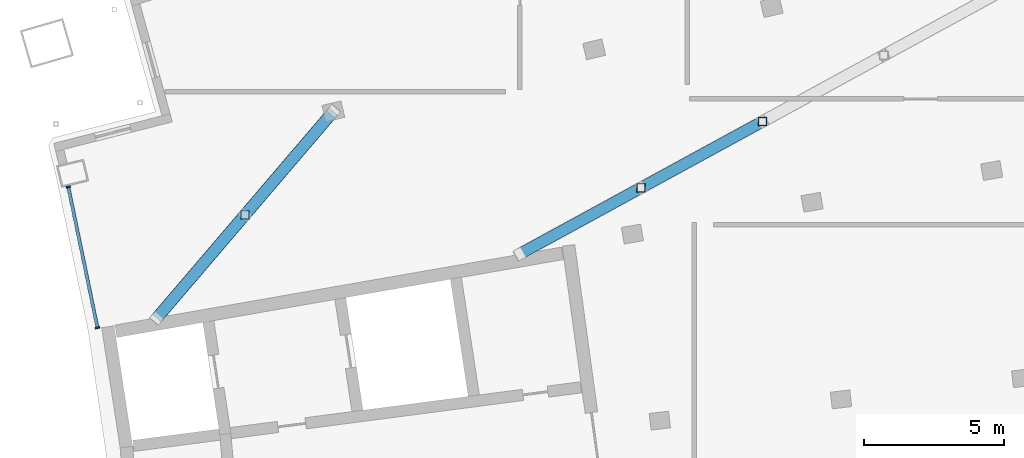
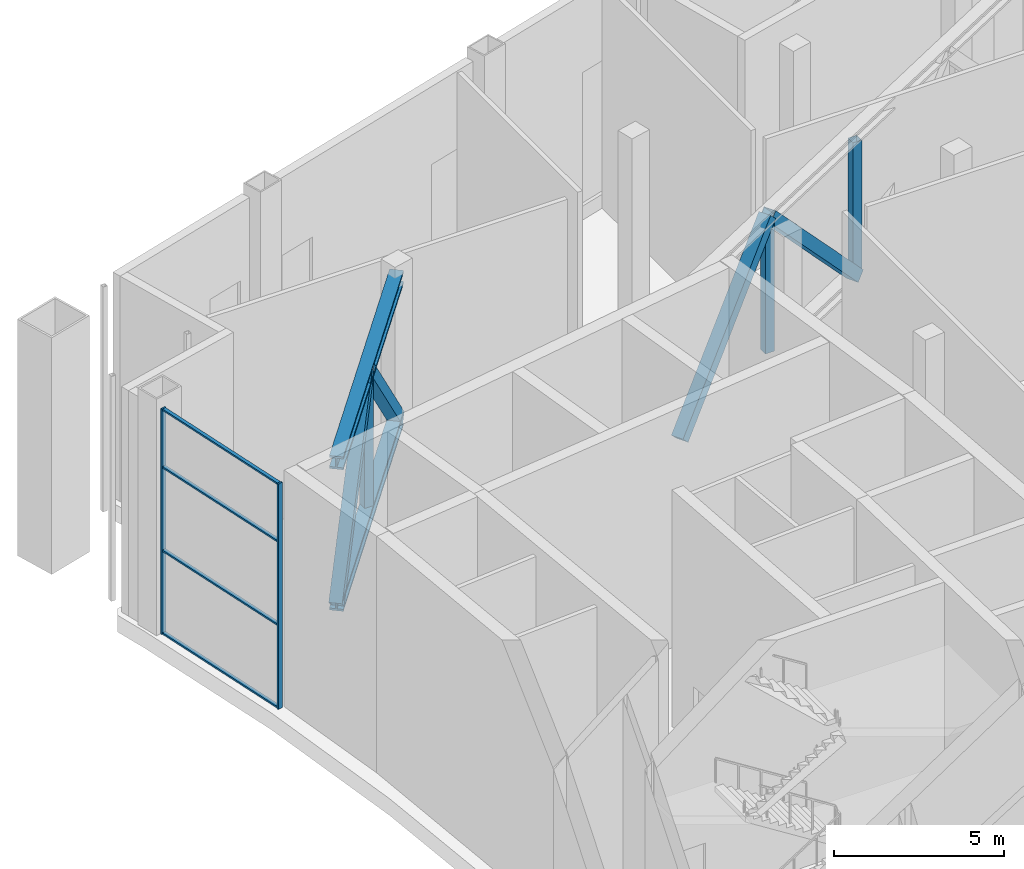
# One storey, part 11 of 25: 15 members, 1 element without a shape of its own.
"""IFC4 building model written with IfcOpenShell, lengths in metres."""

from ifc_helpers import new_model, si_unit, direction, frame, origin, origin_2d, place, context, subcontext, project, spatial, rectangle, hollow_rectangle, i_section, extrude, material, layer, layer_set, material_profile, profile_set, type_object, element, aggregate, save


model = new_model("IFC4")

# Units and contexts
model_context = context("Model", 3, precision=1e-05, world=origin(), true_north=direction((0.0, 1.0)))
body_context = subcontext(model_context, "Body", "Model", "MODEL_VIEW")
ifc_project = project(units=[si_unit("LENGTHUNIT", "METRE"), si_unit("AREAUNIT", "SQUARE_METRE"), si_unit("VOLUMEUNIT", "CUBIC_METRE"), si_unit("PLANEANGLEUNIT", "RADIAN"), si_unit("MASSUNIT", "GRAM", prefix="KILO")], contexts=[model_context])

# Site, building, storey
site_placement = place(None, origin())
site = spatial("IfcSite", under=ifc_project, at=site_placement, CompositionType="ELEMENT")
building_placement = place(site_placement, origin())
building = spatial("IfcBuilding", under=site, at=building_placement, Name="Alderwake Tower", CompositionType="ELEMENT")
storey_placement = place(building_placement, frame((0.0, 0.0, 296.0)))
storey = spatial("IfcBuildingStorey", under=building, at=storey_placement, Name="L73", CompositionType="ELEMENT", Elevation=296.0)

# Curtain wall, members
ifc_material_1 = material(Name="Bronze tinted glass in aluminium frame", Category="aluminium")
ifc_layer = layer(ifc_material_1, 0.199951171875)
ifc_layer_set = layer_set([ifc_layer], Name="Curtain wall CW4 damper floor viewing glazing")
curtain_wall_type = type_object("IfcCurtainWallType", Name="Curtain wall CW4 damper floor viewing glazing", PredefinedType="NOTDEFINED", material=ifc_layer_set)
curtain_wall_placement = place(storey_placement, origin())
curtain_wall = element("IfcCurtainWall", 1, at=curtain_wall_placement, inside=storey, type_object=curtain_wall_type, Name="Curtain wall 9", PredefinedType="NOTDEFINED")
ifc_material_2 = material(Name="Aluminium bronze anodised", Category="aluminium")
ifc_material_profile_1 = material_profile(ifc_material_2, rectangle(XDim=0.159912109375, YDim=0.06005859375, at=origin_2d()), Name="Mullion MUD 60x160")
ifc_profile_set_1 = profile_set([ifc_material_profile_1], Name="Aluminium bronze anodised")
member_type_1 = type_object("IfcMemberType", Name="Mullion MUD 60x160", PredefinedType="MULLION", material=ifc_profile_set_1)
member_1_placement = place(storey_placement, frame((13.82763671875, 82.850341796875, 0.0), z_axis=(0.0, 0.0, 1.0), x_axis=(0.979228898997, 0.202757893481, 0.0)))
member_1 = element("IfcMember", 2, at=member_1_placement, type_object=member_type_1, Name="CW.09 mullion 1", PredefinedType="MULLION", context=body_context, shape_type="SweptSolid", body=[
    extrude(rectangle(XDim=0.159912109375, YDim=0.06005859375, at=origin_2d()), origin(), (0.0, 0.0, 1.0), 8.10009765625),
])
member_2_placement = place(storey_placement, frame((14.8720703125, 77.80615234375, 0.0), z_axis=(0.0, 0.0, 1.0), x_axis=(0.979228898997, 0.202757893481, 0.0)))
member_2 = element("IfcMember", 3, at=member_2_placement, type_object=member_type_1, Name="CW.09 mullion 2", PredefinedType="MULLION", context=body_context, shape_type="SweptSolid", body=[
    extrude(rectangle(XDim=0.159912109375, YDim=0.06005859375, at=origin_2d()), origin(), (0.0, 0.0, 1.0), 8.10009765625),
])

# Members
ifc_material_3 = material(Name="Steel ASTM A992 Grade 50", Category="steel")
ifc_material_profile_2 = material_profile(ifc_material_3, i_section(OverallWidth=0.42138671875, OverallDepth=0.464599609375, WebThickness=0.044921875, FlangeThickness=0.072265625, at=origin_2d()), Name="W14X398")
ifc_profile_set_2 = profile_set([ifc_material_profile_2], Name="Steel ASTM A992 Grade 50")
member_type_2 = type_object("IfcMemberType", Name="Outrigger truss chord W14X398", PredefinedType="CHORD", material=ifc_profile_set_2)
for number, where, z_axis, x_axis, name in (
    (4, (16.99560546875, 78.149658203125, 7.86767578125), (0.649500341589, 0.760361299828, 0.0), (-0.760361299828, 0.649500341589, 0.0), "Outrigger truss chord DT73NR.T"),
    (5, (16.99560546875, 78.149658203125, 2.7822265625), (0.649500341589, 0.760361299828, 0.0), (-0.760361299828, 0.649500341589, 0.0), "Outrigger truss chord DT73NR.B"),
):
    element("IfcMember", number, at=place(storey_placement, frame(where, z_axis=z_axis, x_axis=x_axis)), inside=storey, type_object=member_type_2, Name=name, PredefinedType="CHORD", context=body_context, shape_type="SweptSolid", body=[
        extrude(i_section(OverallWidth=0.42138671875, OverallDepth=0.464599609375, WebThickness=0.044921875, FlangeThickness=0.072265625, at=origin_2d()), origin(), (0.0, 0.0, 1.0), 9.740478515625),
    ])
ifc_material_4 = material(Name="Steel ASTM A500 Grade C", Category="steel")
ifc_material_profile_3 = material_profile(ifc_material_4, hollow_rectangle(XDim=0.406494140625, YDim=0.406494140625, WallThickness=0.014892578125, at=origin_2d()), Name="HSS16X16X5/8")
ifc_profile_set_3 = profile_set([ifc_material_profile_3], Name="Steel ASTM A500 Grade C")
member_type_3 = type_object("IfcMemberType", Name="Outrigger truss diagonal HSS16X16X5/8", PredefinedType="BRACE", material=ifc_profile_set_3)
member_3_placement = place(storey_placement, frame((16.99560546875, 78.149658203125, 2.7822265625), z_axis=(0.449218413623, 0.52591424034, 0.722230592449), x_axis=(-0.760373678193, 0.649485850124, 0.0)))
element("IfcMember", 6, at=member_3_placement, inside=storey, type_object=member_type_3, Name="Outrigger truss diagonal DT73NR.D1", PredefinedType="BRACE", context=body_context, shape_type="SweptSolid", body=[
    extrude(hollow_rectangle(XDim=0.406494140625, YDim=0.406494140625, WallThickness=0.014892578125, at=origin_2d()), origin(), (0.0, 0.0, 1.0), 7.041259765625),
])
member_4_placement = place(storey_placement, frame((23.322021484375, 85.555908203125, 2.7822265625), z_axis=(-0.449246088757, -0.525906048797, 0.722219343119), x_axis=(0.760348921589, -0.649514832346, 0.0)))
element("IfcMember", 7, at=member_4_placement, inside=storey, type_object=member_type_3, Name="Outrigger truss diagonal DT73NR.D2", PredefinedType="BRACE", context=body_context, shape_type="SweptSolid", body=[
    extrude(hollow_rectangle(XDim=0.406494140625, YDim=0.406494140625, WallThickness=0.014892578125, at=origin_2d()), origin(), (0.0, 0.0, 1.0), 7.04150390625),
])
for number, where, z_axis, x_axis, name in (
    (8, (29.993896484375, 80.447998046875, 2.7822265625), (0.61244920085, 0.334135114632, 0.716421455254), (-0.478931570969, 0.877852237184, 0.0), "Outrigger truss diagonal DT73NF.D1"),
    (9, (38.688720703125, 85.191650390625, 2.7822265625), (-0.61244920085, -0.334135114632, 0.716421455254), (0.478931570969, -0.877852237184, 0.0), "Outrigger truss diagonal DT73NF.D2"),
):
    element("IfcMember", number, at=place(storey_placement, frame(where, z_axis=z_axis, x_axis=x_axis)), inside=storey, type_object=member_type_3, Name=name, PredefinedType="BRACE", context=body_context, shape_type="SweptSolid", body=[
        extrude(hollow_rectangle(XDim=0.406494140625, YDim=0.406494140625, WallThickness=0.014892578125, at=origin_2d()), origin(), (0.0, 0.0, 1.0), 7.098388671875),
    ])
ifc_material_5 = material(Name="Steel ASTM A500 Grade C", Category="steel")
ifc_material_profile_4 = material_profile(ifc_material_5, hollow_rectangle(XDim=0.3046875, YDim=0.3046875, WallThickness=0.01171875, at=origin_2d()), Name="HSS12X12X1/2")
ifc_profile_set_4 = profile_set([ifc_material_profile_4], Name="Steel ASTM A500 Grade C")
member_type_4 = type_object("IfcMemberType", Name="Outrigger truss post HSS12X12X1/2", PredefinedType="POST", material=ifc_profile_set_4)
for number, where, z_axis, x_axis, name in (
    (10, (20.15869140625, 81.852783203125, 3.0146484375), (0.0, 0.0, 1.0), (1.0, 0.0, 0.0), "Outrigger truss post DT73NR.P1"),
    (11, (34.34130859375, 82.81982421875, 3.0146484375), (0.0, 0.0, 1.0), (1.0, 0.0, 0.0), "Outrigger truss post DT73NF.P1"),
    (12, (38.688720703125, 85.191650390625, 3.0146484375), (0.0, 0.0, 1.0), (1.0, 0.0, 0.0), "Outrigger truss post DT73NF.P2"),
):
    element("IfcMember", number, at=place(storey_placement, frame(where, z_axis=z_axis, x_axis=x_axis)), inside=storey, type_object=member_type_4, Name=name, PredefinedType="POST", context=body_context, shape_type="SweptSolid", body=[
        extrude(hollow_rectangle(XDim=0.3046875, YDim=0.3046875, WallThickness=0.01171875, at=origin_2d()), origin(), (0.0, 0.0, 1.0), 4.620849609375),
    ])

# Member
ifc_material_6 = material(Name="Aluminium bronze anodised", Category="aluminium")
ifc_material_profile_5 = material_profile(ifc_material_6, rectangle(XDim=0.1201171875, YDim=0.06005859375, at=origin_2d()), Name="Transom TRD 60x120")
ifc_profile_set_5 = profile_set([ifc_material_profile_5], Name="Aluminium bronze anodised")
member_type_5 = type_object("IfcMemberType", Name="Transom TRD 60x120", PredefinedType="USERDEFINED", material=ifc_profile_set_5)
member_5_placement = place(storey_placement, frame((13.833740234375, 82.82080078125, 0.030029296875), z_axis=(0.202751488355, -0.979230225213, 0.0), x_axis=(0.979230225213, 0.202751488355, 0.0)))
member_5 = element("IfcMember", 13, at=member_5_placement, type_object=member_type_5, Name="CW.09 transom 1.1", ObjectType="TRANSOM", PredefinedType="USERDEFINED", context=body_context, shape_type="SweptSolid", body=[
    extrude(rectangle(XDim=0.1201171875, YDim=0.06005859375, at=origin_2d()), origin(), (0.0, 0.0, 1.0), 5.091064453125),
])

member_6_placement = place(storey_placement, frame((13.833740234375, 82.82080078125, 3.0), z_axis=(0.202751488355, -0.979230225213, 0.0), x_axis=(0.979230225213, 0.202751488355, 0.0)))
member_6 = element("IfcMember", 14, at=member_6_placement, type_object=member_type_5, Name="CW.09 transom 1.2", ObjectType="TRANSOM", PredefinedType="USERDEFINED", context=body_context, shape_type="SweptSolid", body=[
    extrude(rectangle(XDim=0.1201171875, YDim=0.06005859375, at=origin_2d()), origin(), (0.0, 0.0, 1.0), 5.091064453125),
])

member_7_placement = place(storey_placement, frame((13.833740234375, 82.82080078125, 6.0), z_axis=(0.202751488355, -0.979230225213, 0.0), x_axis=(0.979230225213, 0.202751488355, 0.0)))
member_7 = element("IfcMember", 15, at=member_7_placement, type_object=member_type_5, Name="CW.09 transom 1.3", ObjectType="TRANSOM", PredefinedType="USERDEFINED", context=body_context, shape_type="SweptSolid", body=[
    extrude(rectangle(XDim=0.1201171875, YDim=0.06005859375, at=origin_2d()), origin(), (0.0, 0.0, 1.0), 5.091064453125),
])

member_8_placement = place(storey_placement, frame((13.833740234375, 82.82080078125, 8.070068359375), z_axis=(0.202751488355, -0.979230225213, 0.0), x_axis=(0.979230225213, 0.202751488355, 0.0)))
member_8 = element("IfcMember", 16, at=member_8_placement, type_object=member_type_5, Name="CW.09 transom 1.4", ObjectType="TRANSOM", PredefinedType="USERDEFINED", context=body_context, shape_type="SweptSolid", body=[
    extrude(rectangle(XDim=0.1201171875, YDim=0.06005859375, at=origin_2d()), origin(), (0.0, 0.0, 1.0), 5.091064453125),
])

aggregate(curtain_wall, [member_1, member_2, member_5, member_6, member_7, member_8])

save(model, "model.ifc")
